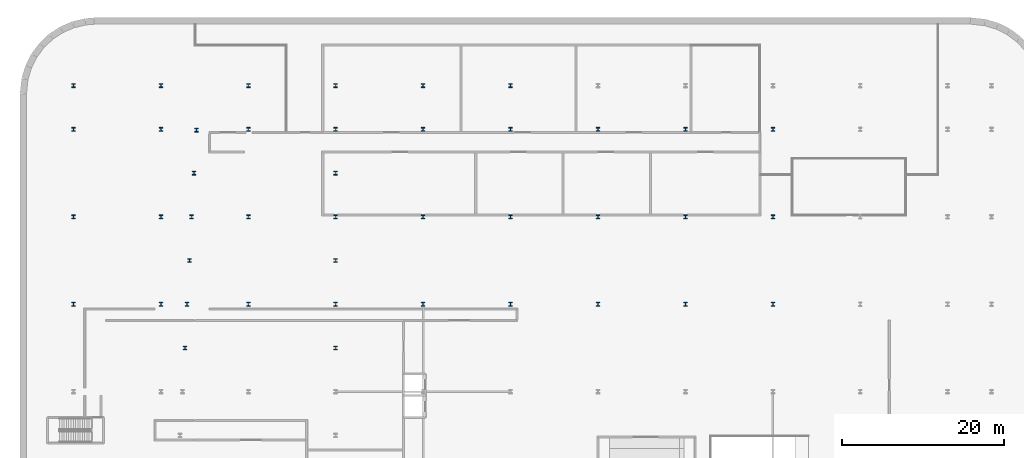
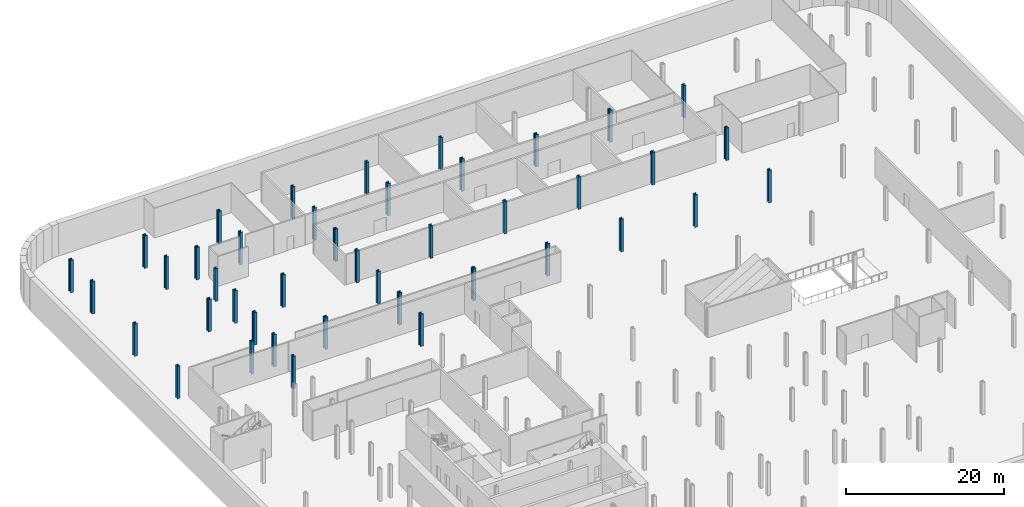
# One storey, part 3 of 19: 42 columns.
"""IFC4 building model written with IfcOpenShell, lengths in metres."""

from ifc_helpers import new_model, si_unit, direction, frame, origin, origin_2d, place, context, subcontext, project, spatial, i_section, extrude, material, material_profile, profile_set, type_object, element, save


model = new_model("IFC4")

# Units and contexts
model_context = context("Model", 3, precision=1e-05, world=origin(), true_north=direction((0.0, 1.0)))
body_context = subcontext(model_context, "Body", "Model", "MODEL_VIEW")
ifc_project = project(units=[si_unit("LENGTHUNIT", "METRE"), si_unit("AREAUNIT", "SQUARE_METRE"), si_unit("VOLUMEUNIT", "CUBIC_METRE"), si_unit("PLANEANGLEUNIT", "RADIAN"), si_unit("MASSUNIT", "GRAM", prefix="KILO")], contexts=[model_context])

# Site, building, storey
site_placement = place(None, origin())
site = spatial("IfcSite", under=ifc_project, at=site_placement, CompositionType="ELEMENT")
building_placement = place(site_placement, origin())
building = spatial("IfcBuilding", under=site, at=building_placement, Name="Kheshtan School and Residences Tower", CompositionType="ELEMENT")
storey_placement = place(building_placement, frame((0.0, 0.0, -10.0)))
storey = spatial("IfcBuildingStorey", under=building, at=storey_placement, Name="B2", CompositionType="ELEMENT", Elevation=-10.0)

# Columns
ifc_material = material(Name="Steel ASTM A992 Grade 50", Category="steel")
ifc_material_profile = material_profile(ifc_material, i_section(OverallWidth=0.424072265625, OverallDepth=0.47412109375, WebThickness=0.047607421875, FlangeThickness=0.0771484375, FilletRadius=0.01416015625, at=origin_2d()), Name="W360x634")
ifc_profile_set = profile_set([ifc_material_profile], Name="Steel ASTM A992 Grade 50")
column_type = type_object("IfcColumnType", Name="Column PC1 W360x634 ASTM A992 Grade 50", PredefinedType="COLUMN", material=ifc_profile_set)
for number, where, z_axis, x_axis, name in (
    (1, (15.199951171875, 78.0, 0.0), (0.0, 0.0, 1.0), (1.0, 0.0, 0.0), "Column P-073"),
    (2, (26.0, 78.0, 0.0), (0.0, 0.0, 1.0), (1.0, 0.0, 0.0), "Column P-074"),
    (3, (36.800048828125, 78.0, 0.0), (0.0, 0.0, 1.0), (1.0, 0.0, 0.0), "Column P-075"),
    (4, (47.60009765625, 78.0, 0.0), (0.0, 0.0, 1.0), (1.0, 0.0, 0.0), "Column P-076"),
    (5, (58.39990234375, 78.0, 0.0), (0.0, 0.0, 1.0), (1.0, 0.0, 0.0), "Column P-077"),
    (6, (69.199951171875, 78.0, 0.0), (0.0, 0.0, 1.0), (1.0, 0.0, 0.0), "Column P-078"),
    (7, (80.0, 78.0, 0.0), (0.0, 0.0, 1.0), (1.0, 0.0, 0.0), "Column P-079"),
    (8, (90.800048828125, 78.0, 0.0), (0.0, 0.0, 1.0), (1.0, 0.0, 0.0), "Column P-080"),
    (9, (101.60009765625, 78.0, 0.0), (0.0, 0.0, 1.0), (1.0, 0.0, 0.0), "Column P-081"),
    (10, (15.199951171875, 88.800048828125, 0.0), (0.0, 0.0, 1.0), (1.0, 0.0, 0.0), "Column P-085"),
    (11, (26.0, 88.800048828125, 0.0), (0.0, 0.0, 1.0), (1.0, 0.0, 0.0), "Column P-086"),
    (12, (36.800048828125, 88.800048828125, 0.0), (0.0, 0.0, 1.0), (1.0, 0.0, 0.0), "Column P-087"),
    (13, (47.60009765625, 88.800048828125, 0.0), (0.0, 0.0, 1.0), (1.0, 0.0, 0.0), "Column P-088"),
    (14, (58.39990234375, 88.800048828125, 0.0), (0.0, 0.0, 1.0), (1.0, 0.0, 0.0), "Column P-089"),
    (15, (69.199951171875, 88.800048828125, 0.0), (0.0, 0.0, 1.0), (1.0, 0.0, 0.0), "Column P-090"),
    (16, (80.0, 88.800048828125, 0.0), (0.0, 0.0, 1.0), (1.0, 0.0, 0.0), "Column P-091"),
    (17, (90.800048828125, 88.800048828125, 0.0), (0.0, 0.0, 1.0), (1.0, 0.0, 0.0), "Column P-092"),
    (18, (101.60009765625, 88.800048828125, 0.0), (0.0, 0.0, 1.0), (1.0, 0.0, 0.0), "Column P-093"),
    (19, (15.199951171875, 99.60009765625, 0.0), (0.0, 0.0, 1.0), (1.0, 0.0, 0.0), "Column P-097"),
    (20, (26.0, 99.60009765625, 0.0), (0.0, 0.0, 1.0), (1.0, 0.0, 0.0), "Column P-098"),
    (21, (36.800048828125, 99.60009765625, 0.0), (0.0, 0.0, 1.0), (1.0, 0.0, 0.0), "Column P-099"),
    (22, (47.60009765625, 99.60009765625, 0.0), (0.0, 0.0, 1.0), (1.0, 0.0, 0.0), "Column P-100"),
    (23, (58.39990234375, 99.60009765625, 0.0), (0.0, 0.0, 1.0), (1.0, 0.0, 0.0), "Column P-101"),
    (24, (69.199951171875, 99.60009765625, 0.0), (0.0, 0.0, 1.0), (1.0, 0.0, 0.0), "Column P-102"),
    (25, (80.0, 99.60009765625, 0.0), (0.0, 0.0, 1.0), (1.0, 0.0, 0.0), "Column P-103"),
    (26, (90.800048828125, 99.60009765625, 0.0), (0.0, 0.0, 1.0), (1.0, 0.0, 0.0), "Column P-104"),
    (27, (101.60009765625, 99.60009765625, 0.0), (0.0, 0.0, 1.0), (1.0, 0.0, 0.0), "Column P-105"),
    (28, (15.199951171875, 105.0, 0.0), (0.0, 0.0, 1.0), (1.0, 0.0, 0.0), "Column P-109"),
    (29, (26.0, 105.0, 0.0), (0.0, 0.0, 1.0), (1.0, 0.0, 0.0), "Column P-110"),
    (30, (36.800048828125, 105.0, 0.0), (0.0, 0.0, 1.0), (1.0, 0.0, 0.0), "Column P-111"),
    (31, (47.60009765625, 105.0, 0.0), (0.0, 0.0, 1.0), (1.0, 0.0, 0.0), "Column P-112"),
    (32, (58.39990234375, 105.0, 0.0), (0.0, 0.0, 1.0), (1.0, 0.0, 0.0), "Column P-113"),
    (33, (69.199951171875, 105.0, 0.0), (0.0, 0.0, 1.0), (1.0, 0.0, 0.0), "Column P-114"),
    (34, (28.9599609375, 72.60009765625, 0.0), (0.0, 0.0, 1.0), (1.0, 0.0, 0.0), "Transfer column X26"),
    (35, (47.60009765625, 72.60009765625, 0.0), (0.0, 0.0, 1.0), (1.0, 0.0, 0.0), "Transfer column X27"),
    (36, (29.239990234375, 78.0, 0.0), (0.0, 0.0, 1.0), (1.0, 0.0, 0.0), "Transfer column X28"),
    (37, (29.530029296875, 83.39990234375, 0.0), (0.0, 0.0, 1.0), (1.0, 0.0, 0.0), "Transfer column X29"),
    (38, (47.60009765625, 83.39990234375, 0.0), (0.0, 0.0, 1.0), (1.0, 0.0, 0.0), "Transfer column X30"),
    (39, (29.81005859375, 88.800048828125, 0.0), (0.0, 0.0, 1.0), (1.0, 0.0, 0.0), "Transfer column X31"),
    (40, (30.090087890625, 94.199951171875, 0.0), (0.0, 0.0, 1.0), (1.0, 0.0, 0.0), "Transfer column X32"),
    (41, (47.60009765625, 94.199951171875, 0.0), (0.0, 0.0, 1.0), (1.0, 0.0, 0.0), "Transfer column X33"),
    (42, (30.419921875, 99.510009765625, 0.0), (0.0, 0.0, 1.0), (1.0, 0.0, 0.0), "Transfer column X34"),
):
    element("IfcColumn", number, at=place(storey_placement, frame(where, z_axis=z_axis, x_axis=x_axis)), inside=storey, type_object=column_type, Name=name, PredefinedType="COLUMN", context=body_context, shape_type="SweptSolid", body=[
        extrude(i_section(OverallWidth=0.424072265625, OverallDepth=0.47412109375, WebThickness=0.047607421875, FlangeThickness=0.0771484375, FilletRadius=0.01416015625, at=origin_2d()), origin(), (0.0, 0.0, 1.0), 5.0),
    ])

save(model, "model.ifc")
